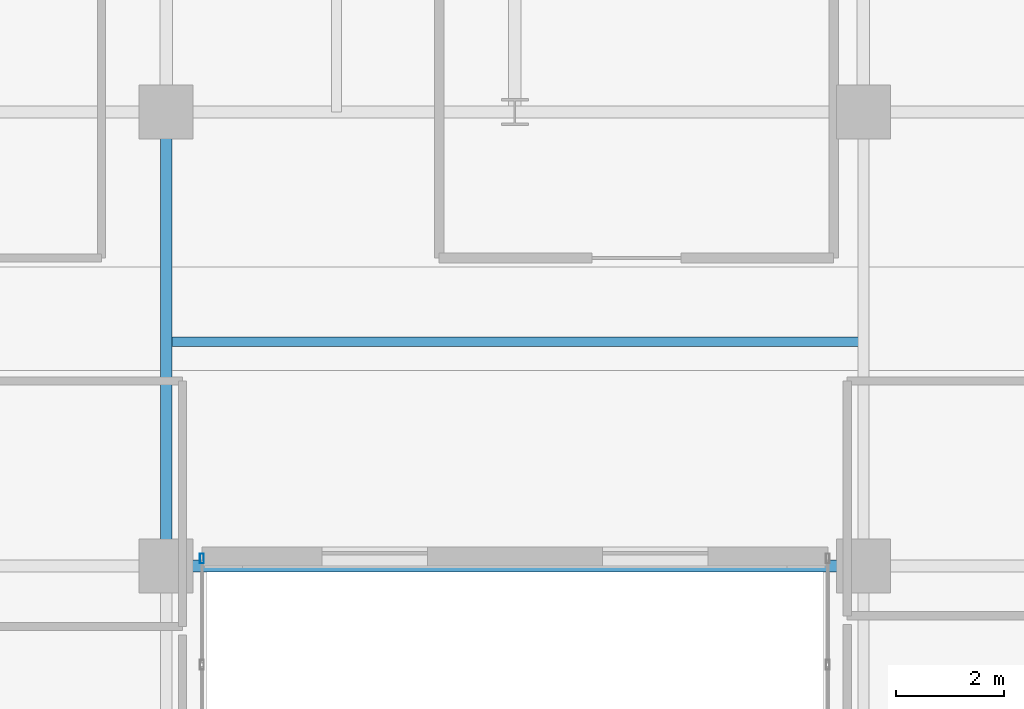
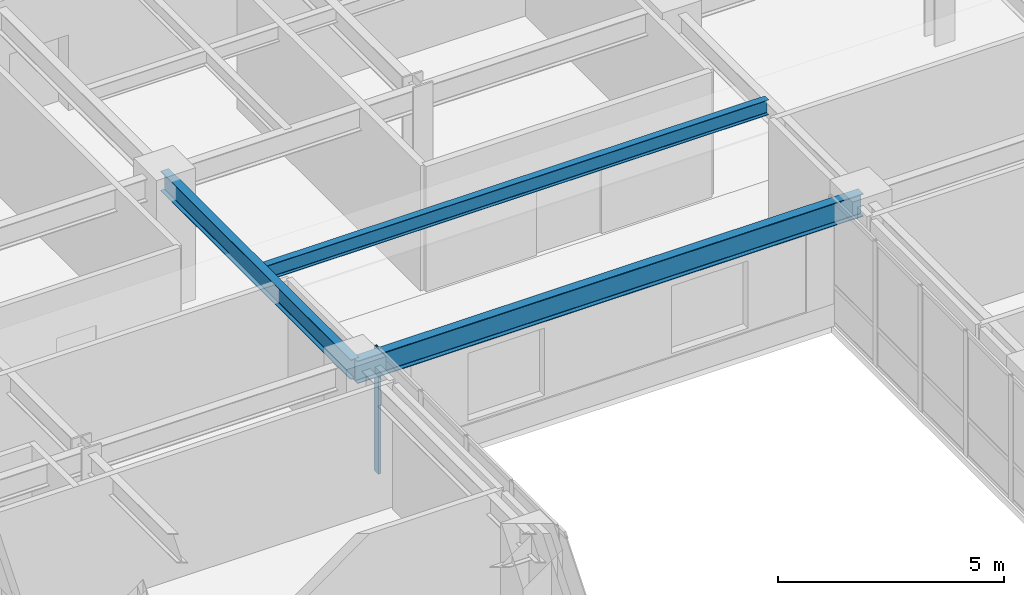
# One storey, part 5 of 25: 3 beams, 1 member, 1 element without a shape of its own.
"""IFC4 building model written with IfcOpenShell, lengths in metres."""

from ifc_helpers import new_model, si_unit, direction, frame, origin, origin_2d, place, context, subcontext, project, spatial, hollow_rectangle, i_section, extrude, source, transform, mapped, material, layer, layer_set, material_profile, profile_set, type_object, type_shapes, element, aggregate, save


model = new_model("IFC4")

# Units and contexts
model_context = context("Model", 3, precision=1e-05, world=origin(), true_north=direction((0.0, 1.0)))
body_context = subcontext(model_context, "Body", "Model", "MODEL_VIEW")
ifc_project = project(units=[si_unit("LENGTHUNIT", "METRE"), si_unit("AREAUNIT", "SQUARE_METRE"), si_unit("VOLUMEUNIT", "CUBIC_METRE"), si_unit("PLANEANGLEUNIT", "RADIAN"), si_unit("MASSUNIT", "GRAM", prefix="KILO")], contexts=[model_context])

# Site, building, storey
site_placement = place(None, origin())
site = spatial("IfcSite", under=ifc_project, at=site_placement, CompositionType="ELEMENT")
building_placement = place(site_placement, origin())
building = spatial("IfcBuilding", under=site, at=building_placement, Name="Tolvann Quenvar Hotel", CompositionType="ELEMENT")
storey_placement = place(building_placement, frame((0.0, 0.0, 46.199951171875)))
storey = spatial("IfcBuildingStorey", under=building, at=storey_placement, Name="L10", CompositionType="ELEMENT", Elevation=46.199951171875)

# Beams
ifc_material_1 = material(Name="Steel Grade 350", Category="steel")
ifc_material_profile_1 = material_profile(ifc_material_1, i_section(OverallWidth=0.22900390625, OverallDepth=0.612060546875, WebThickness=0.011962890625, FlangeThickness=0.01953125, FilletRadius=0.013916015625, at=origin_2d()), Name="610UB125")
ifc_profile_set_1 = profile_set([ifc_material_profile_1], Name="Steel Grade 350")
beam_type_1 = type_object("IfcBeamType", Name="BM_GIRD_610UB125", PredefinedType="BEAM", material=ifc_profile_set_1)
shared_shape_1 = source(origin(), body_context, "Body", "SweptSolid", [
    extrude(i_section(OverallWidth=0.22900390625, OverallDepth=0.612060546875, WebThickness=0.011962890625, FlangeThickness=0.01953125, FilletRadius=0.013916015625, at=origin_2d()), origin(), (0.0, 0.0, 1.0), 12.89990234375),
])
type_shapes(beam_type_1, [shared_shape_1])
beam_1_placement = place(storey_placement, frame((22.050048828125, 16.0, 3.06396484375), z_axis=(1.0, 0.0, 0.0), x_axis=(0.0, 1.0, 0.0)))
element("IfcBeam", 1, at=beam_1_placement, inside=storey, type_object=beam_type_1, Name="BM-L10-EW-4-E4-F4", PredefinedType="BEAM", context=body_context, shape_type="MappedRepresentation", body=[
    mapped(shared_shape_1, transform((0.0, 0.0, 0.0), x_axis=(1.0, 0.0, 0.0), y_axis=(0.0, 1.0, 0.0), z_axis=(0.0, 0.0, 1.0), scale=1.0)),
])
ifc_material_profile_2 = material_profile(ifc_material_1, i_section(OverallWidth=0.208984375, OverallDepth=0.532958984375, WebThickness=0.01025390625, FlangeThickness=0.015625, FilletRadius=0.013916015625, at=origin_2d()), Name="530UB92")
ifc_profile_set_2 = profile_set([ifc_material_profile_2], Name="Steel Grade 350")
beam_type_2 = type_object("IfcBeamType", Name="BM_GIRD_530UB92", PredefinedType="BEAM", material=ifc_profile_set_2)
shared_shape_2 = source(origin(), body_context, "Body", "SweptSolid", [
    extrude(i_section(OverallWidth=0.208984375, OverallDepth=0.532958984375, WebThickness=0.01025390625, FlangeThickness=0.015625, FilletRadius=0.013916015625, at=origin_2d()), origin(), (0.0, 0.0, 1.0), 8.39990234375),
])
type_shapes(beam_type_2, [shared_shape_2])
beam_2_placement = place(storey_placement, frame((22.050048828125, 16.0, 3.103515625), z_axis=(0.0, 1.0, 0.0), x_axis=(-1.0, 0.0, 0.0)))
element("IfcBeam", 2, at=beam_2_placement, inside=storey, type_object=beam_type_2, Name="BM-L10-NS-E4-E5", PredefinedType="BEAM", context=body_context, shape_type="MappedRepresentation", body=[
    mapped(shared_shape_2, transform((0.0, 0.0, 0.0), x_axis=(1.0, 0.0, 0.0), y_axis=(0.0, 1.0, 0.0), z_axis=(0.0, 0.0, 1.0), scale=1.0)),
])
ifc_material_profile_3 = material_profile(ifc_material_1, i_section(OverallWidth=0.177978515625, OverallDepth=0.406005859375, WebThickness=0.0078125, FlangeThickness=0.0126953125, FilletRadius=0.011474609375, at=origin_2d()), Name="410UB60")
ifc_profile_set_3 = profile_set([ifc_material_profile_3], Name="Steel Grade 350")
beam_type_3 = type_object("IfcBeamType", Name="BM_JOIST_410UB60", PredefinedType="JOIST", material=ifc_profile_set_3)
shared_shape_3 = source(origin(), body_context, "Body", "SweptSolid", [
    extrude(i_section(OverallWidth=0.177978515625, OverallDepth=0.406005859375, WebThickness=0.0078125, FlangeThickness=0.0126953125, FilletRadius=0.011474609375, at=origin_2d()), origin(), (0.0, 0.0, 1.0), 12.89990234375),
])
type_shapes(beam_type_3, [shared_shape_3])
beam_3_placement = place(storey_placement, frame((22.050048828125, 20.14990234375, 3.1669921875), z_axis=(1.0, 0.0, 0.0), x_axis=(0.0, 1.0, 0.0)))
element("IfcBeam", 3, at=beam_3_placement, inside=storey, type_object=beam_type_3, Name="BM-L10-SPINE-20", PredefinedType="JOIST", context=body_context, shape_type="MappedRepresentation", body=[
    mapped(shared_shape_3, transform((0.0, 0.0, 0.0), x_axis=(1.0, 0.0, 0.0), y_axis=(0.0, 1.0, 0.0), z_axis=(0.0, 0.0, 1.0), scale=1.0)),
])

# Curtain wall, member
ifc_material_2 = material(Name="Thermally broken anodised architectural aluminium 6063-T6 and laminated low-E glass", Category="aluminium")
ifc_layer = layer(ifc_material_2, 0.179931640625)
ifc_layer_set = layer_set([ifc_layer], Name="Thermally broken anodised architectural aluminium 6063-T6 and laminated low-E glass")
curtain_wall_type = type_object("IfcCurtainWallType", Name="CW_SYS_SLOT_03", PredefinedType="USERDEFINED", material=ifc_layer_set)
curtain_wall_placement = place(storey_placement, origin())
curtain_wall = element("IfcCurtainWall", 4, at=curtain_wall_placement, inside=storey, type_object=curtain_wall_type, Name="Curtain Wall CW-SLOT-03 (CWR-L10-E05)", ObjectType="UNITISED CURTAIN WALL", PredefinedType="USERDEFINED")
ifc_material_3 = material(Name="Anodised architectural aluminium 6063-T6 framing", Category="aluminium")
ifc_material_profile_4 = material_profile(ifc_material_3, hollow_rectangle(XDim=0.070068359375, YDim=0.179931640625, WallThickness=0.00390625, at=origin_2d()), Name="180x70x4RHS")
ifc_profile_set_4 = profile_set([ifc_material_profile_4], Name="Anodised architectural aluminium 6063-T6 framing")
member_type = type_object("IfcMemberType", Name="CW_MULL_180x70", PredefinedType="MULLION", material=ifc_profile_set_4)
shared_shape_4 = source(origin(), body_context, "Body", "SweptSolid", [
    extrude(hollow_rectangle(XDim=0.070068359375, YDim=0.179931640625, WallThickness=0.00390625, at=origin_2d()), origin(), (0.0, 0.0, 1.0), 3.3701171875),
])
type_shapes(member_type, [shared_shape_4])
member_placement = place(storey_placement, frame((22.7099609375, 16.139892578125, 0.0), z_axis=(0.0, 0.0, 1.0), x_axis=(-1.0, 0.0, 0.0)))
member = element("IfcMember", 5, at=member_placement, type_object=member_type, Name="CW-SLOT-03 mullion 9", PredefinedType="MULLION", context=body_context, shape_type="MappedRepresentation", body=[
    mapped(shared_shape_4, transform((0.0, 0.0, 0.0), x_axis=(1.0, 0.0, 0.0), y_axis=(0.0, 1.0, 0.0), z_axis=(0.0, 0.0, 1.0), scale=1.0)),
])
aggregate(curtain_wall, [member])

save(model, "model.ifc")
